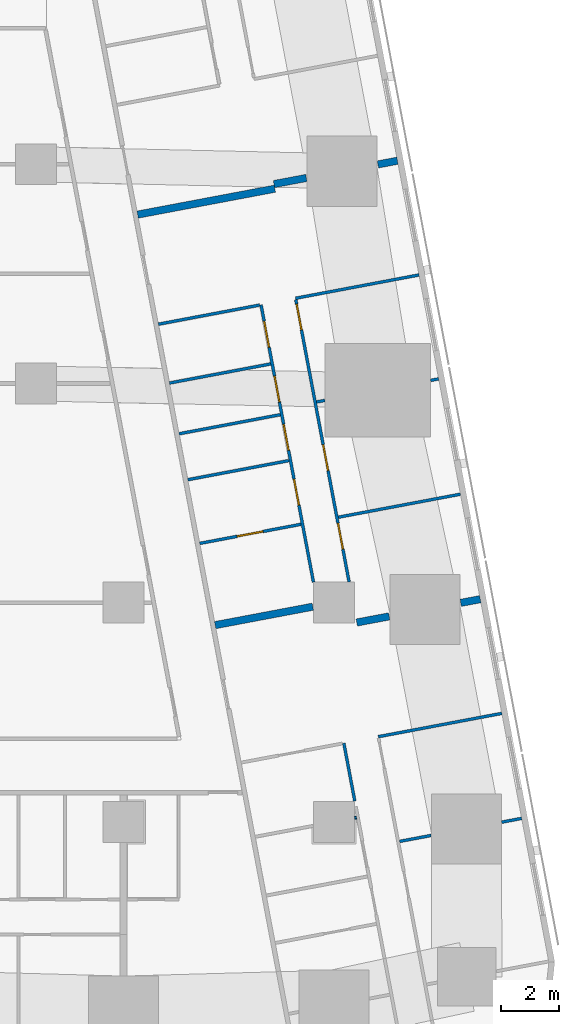
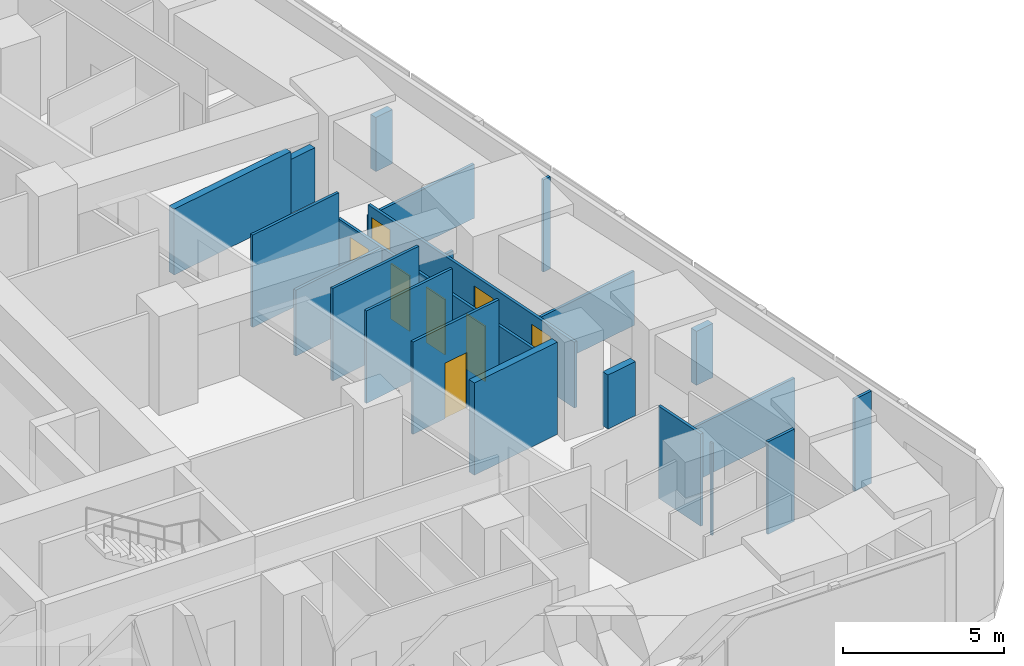
# One storey, part 11 of 17: 22 walls, 8 doors, 8 openings.
"""IFC4 building model written with IfcOpenShell, lengths in metres."""

from ifc_helpers import new_model, si_unit, direction, frame, frame_2d, origin, place, context, subcontext, project, spatial, rectangle, extrude, material, layer, layer_set, type_object, element, fill, save


model = new_model("IFC4")

# Units and contexts
model_context = context("Model", 3, precision=1e-05, world=origin(), true_north=direction((0.0, 1.0)))
body_context = subcontext(model_context, "Body", "Model", "MODEL_VIEW")
ifc_project = project(units=[si_unit("LENGTHUNIT", "METRE"), si_unit("AREAUNIT", "SQUARE_METRE"), si_unit("VOLUMEUNIT", "CUBIC_METRE"), si_unit("PLANEANGLEUNIT", "RADIAN"), si_unit("MASSUNIT", "GRAM", prefix="KILO")], contexts=[model_context])

# Site, building, storey
site_placement = place(None, origin())
site = spatial("IfcSite", under=ifc_project, at=site_placement, CompositionType="ELEMENT")
building_placement = place(site_placement, origin())
building = spatial("IfcBuilding", under=site, at=building_placement, Name="Sheger Commons Tower", CompositionType="ELEMENT")
storey_placement = place(building_placement, frame((0.0, 0.0, 208.699951171875)))
storey = spatial("IfcBuildingStorey", under=building, at=storey_placement, Name="L53", CompositionType="ELEMENT", Elevation=208.699951171875)

# Walls
ifc_material_1 = material(Name="Dense concrete block masonry, plastered both sides (separating wall between flats)", Category="masonry")
ifc_layer_1 = layer(ifc_material_1, 0.25)
ifc_layer_set_1 = layer_set([ifc_layer_1], Name="DEMISING WALL 250")
wall_type_1 = type_object("IfcWallType", Name="DEMISING WALL 250", PredefinedType="SOLIDWALL", material=ifc_layer_set_1)
wall_1_placement = place(storey_placement, frame((45.3720703125, 30.12109375, 0.0), z_axis=(0.0, 0.0, 1.0), x_axis=(-0.982347993061, -0.187062611252, 0.0)))
element("IfcWall", 1, at=wall_1_placement, inside=storey, type_object=wall_type_1, Name="Demising wall L53", PredefinedType="SOLIDWALL", context=body_context, shape_type="SweptSolid", body=[
    extrude(rectangle(XDim=0.679931640625, YDim=0.25, at=frame_2d((0.33984375, 0.0))), origin(), (0.0, 0.0, 1.0), 2.050048828125),
])
wall_2_placement = place(storey_placement, frame((42.256103515625, 29.531982421875, 0.0), z_axis=(0.0, 0.0, 1.0), x_axis=(-0.982549954272, -0.185998890749, 0.0)))
element("IfcWall", 2, at=wall_2_placement, inside=storey, type_object=wall_type_1, Name="Demising wall L53", PredefinedType="SOLIDWALL", context=body_context, shape_type="SweptSolid", body=[
    extrude(rectangle(XDim=1.12890625, YDim=0.25, at=frame_2d((0.564453125, 0.0))), origin(), (0.0, 0.0, 1.0), 2.050048828125),
])
wall_3_placement = place(storey_placement, frame((41.177001953125, 29.1640625, 0.0), z_axis=(0.0, 0.0, 1.0), x_axis=(-0.982642846239, -0.185507511263, 0.0)))
element("IfcWall", 3, at=wall_3_placement, inside=storey, type_object=wall_type_1, Name="Demising wall L53", PredefinedType="SOLIDWALL", context=body_context, shape_type="SweptSolid", body=[
    extrude(rectangle(XDim=4.776123046875, YDim=0.25, at=frame_2d((2.38818359375, 0.0))), origin(), (0.0, 0.0, 1.0), 2.5),
])
wall_4_placement = place(storey_placement, frame((48.2060546875, 15.1201171875, 0.0), z_axis=(0.0, 0.0, 1.0), x_axis=(-0.982610999048, -0.18567612811, 0.0)))
element("IfcWall", 4, at=wall_4_placement, inside=storey, type_object=wall_type_1, Name="Demising wall L53", PredefinedType="SOLIDWALL", context=body_context, shape_type="SweptSolid", body=[
    extrude(rectangle(XDim=0.6796875, YDim=0.25, at=frame_2d((0.33984375, 0.0))), origin(), (0.0, 0.0, 1.0), 2.050048828125),
])
wall_5_placement = place(storey_placement, frame((45.090087890625, 14.531005859375, 0.0), z_axis=(0.0, 0.0, 1.0), x_axis=(-0.982737354171, -0.185006196431, 0.0)))
element("IfcWall", 5, at=wall_5_placement, inside=storey, type_object=wall_type_1, Name="Demising wall L53", PredefinedType="SOLIDWALL", context=body_context, shape_type="SweptSolid", body=[
    extrude(rectangle(XDim=1.129638671875, YDim=0.25, at=frame_2d((0.56494140625, 0.0))), origin(), (0.0, 0.0, 1.0), 2.050048828125),
])
wall_6_placement = place(storey_placement, frame((42.47607421875, 14.863037109375, 0.0), z_axis=(0.0, 0.0, 1.0), x_axis=(-0.982603567712, -0.185715450942, 0.0)))
element("IfcWall", 6, at=wall_6_placement, inside=storey, type_object=wall_type_1, Name="Demising wall L53", PredefinedType="SOLIDWALL", context=body_context, shape_type="SweptSolid", body=[
    extrude(rectangle(XDim=3.398193359375, YDim=0.25, at=frame_2d((1.69921875, 0.0))), origin(), (0.0, 0.0, 1.0), 3.5),
])

# Wall, openings, doors
ifc_material_2 = material(Name="Gypsum board on steel studs", Category="steel")
ifc_layer_2 = layer(ifc_material_2, 0.10009765625)
ifc_layer_set_2 = layer_set([ifc_layer_2], Name="PARTITION 100")
wall_type_2 = type_object("IfcWallType", Name="PARTITION 100", PredefinedType="PARTITIONING", material=ifc_layer_set_2)
wall_7_placement = place(storey_placement, frame((41.89404296875, 25.365966796875, 0.0), z_axis=(0.0, 0.0, 1.0), x_axis=(0.185612905165, -0.982622943675, 0.0)))
wall_7 = element("IfcWall", 7, at=wall_7_placement, inside=storey, type_object=wall_type_2, Name="Partition L53", PredefinedType="PARTITIONING", context=body_context, shape_type="SweptSolid", body=[
    extrude(rectangle(XDim=9.82666015625, YDim=0.10009765625, at=frame_2d((4.913330078125, 0.0))), origin(), (0.0, 0.0, 1.0), 2.5),
])
opening_1_placement = place(wall_7_placement, frame((0.15087890625, 0.0, 0.0)))
opening_1 = element("IfcOpeningElement", 8, at=opening_1_placement, cuts=wall_7, Name="Opening D2", PredefinedType="OPENING", context=body_context, shape_type="SweptSolid", body=[
    extrude(rectangle(XDim=0.89990234375, YDim=2.10009765625, at=frame_2d((0.449951171875, 1.050048828125))), frame((0.0, 0.06005859375, 0.0), z_axis=(0.0, -1.0, 0.0), x_axis=(1.0, 0.0, 0.0)), (0.0, 0.0, 1.0), 0.1201171875),
])
opening_2_placement = place(wall_7_placement, frame((5.050048828125, 0.0, 0.0)))
opening_2 = element("IfcOpeningElement", 9, at=opening_2_placement, cuts=wall_7, Name="Opening D2", PredefinedType="OPENING", context=body_context, shape_type="SweptSolid", body=[
    extrude(rectangle(XDim=0.89990234375, YDim=2.10009765625, at=frame_2d((0.449951171875, 1.050048828125))), frame((0.0, 0.06005859375, 0.0), z_axis=(0.0, -1.0, 0.0), x_axis=(1.0, 0.0, 0.0)), (0.0, 0.0, 1.0), 0.1201171875),
])
opening_3_placement = place(wall_7_placement, frame((7.782958984375, 0.0, 0.0)))
opening_3 = element("IfcOpeningElement", 10, at=opening_3_placement, cuts=wall_7, Name="Opening D2", PredefinedType="OPENING", context=body_context, shape_type="SweptSolid", body=[
    extrude(rectangle(XDim=0.89990234375, YDim=2.10009765625, at=frame_2d((0.449951171875, 1.050048828125))), frame((0.0, 0.06005859375, 0.0), z_axis=(0.0, -1.0, 0.0), x_axis=(1.0, 0.0, 0.0)), (0.0, 0.0, 1.0), 0.1201171875),
])
ifc_material_3 = material(Name="Timber door set", Category="wood")
door_type = type_object("IfcDoorType", Name="INTERNAL DOOR 900x2100", OperationType="NOTDEFINED", PredefinedType="DOOR", material=ifc_material_3)
door_1_placement = place(opening_1_placement, origin())
door_1 = element("IfcDoor", 11, at=door_1_placement, inside=storey, type_object=door_type, Name="Main bedroom door", OperationType="SINGLE_SWING_LEFT", OverallHeight=2.10009765625, OverallWidth=0.89990234375, PredefinedType="DOOR", context=body_context, shape_type="SweptSolid", body=[
    extrude(rectangle(XDim=0.89990234375, YDim=2.10009765625, at=frame_2d((0.449951171875, 1.050048828125))), frame((0.0, 0.02490234375, 0.0), z_axis=(0.0, -1.0, 0.0), x_axis=(1.0, 0.0, 0.0)), (0.0, 0.0, 1.0), 0.050048828125),
])
fill(opening_1, door_1)
door_2_placement = place(opening_2_placement, origin())
door_2 = element("IfcDoor", 12, at=door_2_placement, inside=storey, type_object=door_type, Name="Bedroom 2 door", OperationType="SINGLE_SWING_LEFT", OverallHeight=2.10009765625, OverallWidth=0.89990234375, PredefinedType="DOOR", context=body_context, shape_type="SweptSolid", body=[
    extrude(rectangle(XDim=0.89990234375, YDim=2.10009765625, at=frame_2d((0.449951171875, 1.050048828125))), frame((0.0, 0.02490234375, 0.0), z_axis=(0.0, -1.0, 0.0), x_axis=(1.0, 0.0, 0.0)), (0.0, 0.0, 1.0), 0.050048828125),
])
fill(opening_2, door_2)
door_3_placement = place(opening_3_placement, origin())
door_3 = element("IfcDoor", 13, at=door_3_placement, inside=storey, type_object=door_type, Name="Bedroom 3 door", OperationType="SINGLE_SWING_LEFT", OverallHeight=2.10009765625, OverallWidth=0.89990234375, PredefinedType="DOOR", context=body_context, shape_type="SweptSolid", body=[
    extrude(rectangle(XDim=0.89990234375, YDim=2.10009765625, at=frame_2d((0.449951171875, 1.050048828125))), frame((0.0, 0.02490234375, 0.0), z_axis=(0.0, -1.0, 0.0), x_axis=(1.0, 0.0, 0.0)), (0.0, 0.0, 1.0), 0.050048828125),
])
fill(opening_3, door_3)

wall_8_placement = place(storey_placement, frame((40.7060546875, 25.19189453125, 0.0), z_axis=(0.0, 0.0, 1.0), x_axis=(0.185629824463, -0.982619747547, 0.0)))
wall_8 = element("IfcWall", 14, at=wall_8_placement, inside=storey, type_object=wall_type_2, Name="Partition L53", PredefinedType="PARTITIONING", context=body_context, shape_type="SweptSolid", body=[
    extrude(rectangle(XDim=9.658935546875, YDim=0.10009765625, at=frame_2d((4.82958984375, 0.0))), origin(), (0.0, 0.0, 1.0), 2.5),
])
opening_4_placement = place(wall_8_placement, frame((0.574951171875, 0.0, 0.0)))
opening_4 = element("IfcOpeningElement", 15, at=opening_4_placement, cuts=wall_8, Name="Opening D2", PredefinedType="OPENING", context=body_context, shape_type="SweptSolid", body=[
    extrude(rectangle(XDim=0.89990234375, YDim=2.10009765625, at=frame_2d((0.449951171875, 1.050048828125))), frame((0.0, 0.06005859375, 0.0), z_axis=(0.0, -1.0, 0.0), x_axis=(1.0, 0.0, 0.0)), (0.0, 0.0, 1.0), 0.1201171875),
])
opening_5_placement = place(wall_8_placement, frame((4.166015625, 0.0, 0.0)))
opening_5 = element("IfcOpeningElement", 16, at=opening_5_placement, cuts=wall_8, Name="Opening D2", PredefinedType="OPENING", context=body_context, shape_type="SweptSolid", body=[
    extrude(rectangle(XDim=0.89990234375, YDim=2.10009765625, at=frame_2d((0.449951171875, 1.050048828125))), frame((0.0, 0.06005859375, 0.0), z_axis=(0.0, -1.0, 0.0), x_axis=(1.0, 0.0, 0.0)), (0.0, 0.0, 1.0), 0.1201171875),
])
opening_6_placement = place(wall_8_placement, frame((2.48291015625, 0.0, 0.0)))
opening_6 = element("IfcOpeningElement", 17, at=opening_6_placement, cuts=wall_8, Name="Opening D2", PredefinedType="OPENING", context=body_context, shape_type="SweptSolid", body=[
    extrude(rectangle(XDim=0.89990234375, YDim=2.10009765625, at=frame_2d((0.449951171875, 1.050048828125))), frame((0.0, 0.06005859375, 0.0), z_axis=(0.0, -1.0, 0.0), x_axis=(1.0, 0.0, 0.0)), (0.0, 0.0, 1.0), 0.1201171875),
])
opening_7_placement = place(wall_8_placement, frame((6.073974609375, 0.0, 0.0)))
opening_7 = element("IfcOpeningElement", 18, at=opening_7_placement, cuts=wall_8, Name="Opening D2", PredefinedType="OPENING", context=body_context, shape_type="SweptSolid", body=[
    extrude(rectangle(XDim=0.89990234375, YDim=2.10009765625, at=frame_2d((0.449951171875, 1.050048828125))), frame((0.0, 0.06005859375, 0.0), z_axis=(0.0, -1.0, 0.0), x_axis=(1.0, 0.0, 0.0)), (0.0, 0.0, 1.0), 0.1201171875),
])
door_4_placement = place(opening_4_placement, origin())
door_4 = element("IfcDoor", 19, at=door_4_placement, inside=storey, type_object=door_type, Name="Bathroom door", OperationType="SINGLE_SWING_RIGHT", OverallHeight=2.10009765625, OverallWidth=0.89990234375, PredefinedType="DOOR", context=body_context, shape_type="SweptSolid", body=[
    extrude(rectangle(XDim=0.89990234375, YDim=2.10009765625, at=frame_2d((0.449951171875, 1.050048828125))), frame((0.0, 0.02490234375, 0.0), z_axis=(0.0, -1.0, 0.0), x_axis=(1.0, 0.0, 0.0)), (0.0, 0.0, 1.0), 0.050048828125),
])
fill(opening_4, door_4)
door_5_placement = place(opening_5_placement, origin())
door_5 = element("IfcDoor", 20, at=door_5_placement, inside=storey, type_object=door_type, Name="Shower room door", OperationType="SINGLE_SWING_LEFT", OverallHeight=2.10009765625, OverallWidth=0.89990234375, PredefinedType="DOOR", context=body_context, shape_type="SweptSolid", body=[
    extrude(rectangle(XDim=0.89990234375, YDim=2.10009765625, at=frame_2d((0.449951171875, 1.050048828125))), frame((0.0, 0.02490234375, 0.0), z_axis=(0.0, -1.0, 0.0), x_axis=(1.0, 0.0, 0.0)), (0.0, 0.0, 1.0), 0.050048828125),
])
fill(opening_5, door_5)
door_6_placement = place(opening_6_placement, origin())
door_6 = element("IfcDoor", 21, at=door_6_placement, inside=storey, type_object=door_type, Name="Store door", OperationType="SINGLE_SWING_LEFT", OverallHeight=2.10009765625, OverallWidth=0.89990234375, PredefinedType="DOOR", context=body_context, shape_type="SweptSolid", body=[
    extrude(rectangle(XDim=0.89990234375, YDim=2.10009765625, at=frame_2d((0.449951171875, 1.050048828125))), frame((0.0, 0.02490234375, 0.0), z_axis=(0.0, -1.0, 0.0), x_axis=(1.0, 0.0, 0.0)), (0.0, 0.0, 1.0), 0.050048828125),
])
fill(opening_6, door_6)
door_7_placement = place(opening_7_placement, origin())
door_7 = element("IfcDoor", 22, at=door_7_placement, inside=storey, type_object=door_type, Name="Store door", OperationType="SINGLE_SWING_RIGHT", OverallHeight=2.10009765625, OverallWidth=0.89990234375, PredefinedType="DOOR", context=body_context, shape_type="SweptSolid", body=[
    extrude(rectangle(XDim=0.89990234375, YDim=2.10009765625, at=frame_2d((0.449951171875, 1.050048828125))), frame((0.0, 0.02490234375, 0.0), z_axis=(0.0, -1.0, 0.0), x_axis=(1.0, 0.0, 0.0)), (0.0, 0.0, 1.0), 0.050048828125),
])
fill(opening_7, door_7)

# Walls
wall_9_placement = place(storey_placement, frame((46.110107421875, 26.212890625, 0.0), z_axis=(0.0, 0.0, 1.0), x_axis=(-0.982633535512, -0.185556823879, 0.0)))
element("IfcWall", 23, at=wall_9_placement, inside=storey, type_object=wall_type_2, Name="Partition L53", PredefinedType="PARTITIONING", context=body_context, shape_type="SweptSolid", body=[
    extrude(rectangle(XDim=4.2998046875, YDim=0.10009765625, at=frame_2d((2.14990234375, 0.0))), origin(), (0.0, 0.0, 1.0), 2.050048828125),
])
wall_10_placement = place(storey_placement, frame((46.781982421875, 22.656982421875, 0.0), z_axis=(0.0, 0.0, 1.0), x_axis=(-0.982574553168, -0.185868898601, 0.0)))
element("IfcWall", 24, at=wall_10_placement, inside=storey, type_object=wall_type_2, Name="Partition L53", PredefinedType="PARTITIONING", context=body_context, shape_type="SweptSolid", body=[
    extrude(rectangle(XDim=0.27978515625, YDim=0.10009765625, at=frame_2d((0.139892578125, 0.0))), origin(), (0.0, 0.0, 1.0), 3.5),
])
wall_11_placement = place(storey_placement, frame((42.886962890625, 21.9208984375, 0.0), z_axis=(0.0, 0.0, 1.0), x_axis=(-0.982688058078, -0.185267861514, 0.0)))
element("IfcWall", 25, at=wall_11_placement, inside=storey, type_object=wall_type_2, Name="Partition L53", PredefinedType="PARTITIONING", context=body_context, shape_type="SweptSolid", body=[
    extrude(rectangle(XDim=0.285888671875, YDim=0.10009765625, at=frame_2d((0.14306640625, 0.0))), origin(), (0.0, 0.0, 1.0), 2.5),
])
wall_12_placement = place(storey_placement, frame((47.527099609375, 18.7119140625, 0.0), z_axis=(0.0, 0.0, 1.0), x_axis=(-0.982665405803, -0.185387972203, 0.0)))
element("IfcWall", 26, at=wall_12_placement, inside=storey, type_object=wall_type_2, Name="Partition L53", PredefinedType="PARTITIONING", context=body_context, shape_type="SweptSolid", body=[
    extrude(rectangle(XDim=4.249755859375, YDim=0.10009765625, at=frame_2d((2.125, 0.0))), origin(), (0.0, 0.0, 1.0), 2.050048828125),
])
wall_13_placement = place(storey_placement, frame((40.656982421875, 25.18310546875, 0.0), z_axis=(0.0, 0.0, 1.0), x_axis=(-0.982585626838, -0.185810349366, 0.0)))
element("IfcWall", 27, at=wall_13_placement, inside=storey, type_object=wall_type_2, Name="Partition L53", PredefinedType="PARTITIONING", context=body_context, shape_type="SweptSolid", body=[
    extrude(rectangle(XDim=3.525146484375, YDim=0.10009765625, at=frame_2d((1.7626953125, 0.0))), origin(), (0.0, 0.0, 1.0), 3.5),
])
wall_14_placement = place(storey_placement, frame((41.364990234375, 21.43310546875, 0.0), z_axis=(0.0, 0.0, 1.0), x_axis=(-0.982638553676, -0.185530247748, 0.0)))
element("IfcWall", 28, at=wall_14_placement, inside=storey, type_object=wall_type_2, Name="Partition L53", PredefinedType="PARTITIONING", context=body_context, shape_type="SweptSolid", body=[
    extrude(rectangle(XDim=3.525390625, YDim=0.10009765625, at=frame_2d((1.7626953125, 0.0))), origin(), (0.0, 0.0, 1.0), 3.5),
])

# Wall, opening, door
wall_15_placement = place(storey_placement, frame((42.072998046875, 17.681884765625, 0.0), z_axis=(0.0, 0.0, 1.0), x_axis=(-0.98265117712, -0.185463376723, 0.0)))
wall_15 = element("IfcWall", 29, at=wall_15_placement, inside=storey, type_object=wall_type_2, Name="Partition L53", PredefinedType="PARTITIONING", context=body_context, shape_type="SweptSolid", body=[
    extrude(rectangle(XDim=3.525390625, YDim=0.10009765625, at=frame_2d((1.7626953125, 0.0))), origin(), (0.0, 0.0, 1.0), 3.5),
])
opening_8_placement = place(wall_15_placement, frame((1.324951171875, 0.0, 0.0)))
opening_8 = element("IfcOpeningElement", 30, at=opening_8_placement, cuts=wall_15, Name="Opening D2", PredefinedType="OPENING", context=body_context, shape_type="SweptSolid", body=[
    extrude(rectangle(XDim=0.89990234375, YDim=2.10009765625, at=frame_2d((0.449951171875, 1.050048828125))), frame((0.0, 0.06005859375, 0.0), z_axis=(0.0, -1.0, 0.0), x_axis=(1.0, 0.0, 0.0)), (0.0, 0.0, 1.0), 0.1201171875),
])
door_8_placement = place(opening_8_placement, origin())
door_8 = element("IfcDoor", 31, at=door_8_placement, inside=storey, type_object=door_type, Name="Store door", OperationType="SINGLE_SWING_LEFT", OverallHeight=2.10009765625, OverallWidth=0.89990234375, PredefinedType="DOOR", context=body_context, shape_type="SweptSolid", body=[
    extrude(rectangle(XDim=0.89990234375, YDim=2.10009765625, at=frame_2d((0.449951171875, 1.050048828125))), frame((0.0, 0.02490234375, 0.0), z_axis=(0.0, -1.0, 0.0), x_axis=(1.0, 0.0, 0.0)), (0.0, 0.0, 1.0), 0.050048828125),
])
fill(opening_8, door_8)

# Walls
wall_16_placement = place(storey_placement, frame((41.037109375, 23.16796875, 0.0), z_axis=(0.0, 0.0, 1.0), x_axis=(-0.982638553676, -0.185530247748, 0.0)))
element("IfcWall", 32, at=wall_16_placement, inside=storey, type_object=wall_type_2, Name="Partition L53", PredefinedType="PARTITIONING", context=body_context, shape_type="SweptSolid", body=[
    extrude(rectangle(XDim=3.525390625, YDim=0.10009765625, at=frame_2d((1.7626953125, 0.0))), origin(), (0.0, 0.0, 1.0), 2.5),
])
wall_17_placement = place(storey_placement, frame((41.662109375, 19.861083984375, 0.0), z_axis=(0.0, 0.0, 1.0), x_axis=(-0.982588017646, -0.185797706064, 0.0)))
element("IfcWall", 33, at=wall_17_placement, inside=storey, type_object=wall_type_2, Name="Partition L53", PredefinedType="PARTITIONING", context=body_context, shape_type="SweptSolid", body=[
    extrude(rectangle(XDim=3.525390625, YDim=0.10009765625, at=frame_2d((1.7626953125, 0.0))), origin(), (0.0, 0.0, 1.0), 3.5),
])
wall_18_placement = place(storey_placement, frame((43.5390625, 10.19189453125, 0.0), z_axis=(0.0, 0.0, 1.0), x_axis=(0.185443145218, -0.982654995353, 0.0)))
element("IfcWall", 34, at=wall_18_placement, inside=storey, type_object=wall_type_2, Name="Partition L53", PredefinedType="PARTITIONING", context=body_context, shape_type="SweptSolid", body=[
    extrude(rectangle(XDim=2.016845703125, YDim=0.10009765625, at=frame_2d((1.00830078125, 0.0))), origin(), (0.0, 0.0, 1.0), 3.5),
])
wall_19_placement = place(storey_placement, frame((48.943115234375, 11.212890625, 0.0), z_axis=(0.0, 0.0, 1.0), x_axis=(-0.982633535512, -0.185556823879, 0.0)))
element("IfcWall", 35, at=wall_19_placement, inside=storey, type_object=wall_type_2, Name="Partition L53", PredefinedType="PARTITIONING", context=body_context, shape_type="SweptSolid", body=[
    extrude(rectangle(XDim=4.2998046875, YDim=0.10009765625, at=frame_2d((2.14990234375, 0.0))), origin(), (0.0, 0.0, 1.0), 2.050048828125),
])
wall_20_placement = place(storey_placement, frame((49.6220703125, 7.6201171875, 0.0), z_axis=(0.0, 0.0, 1.0), x_axis=(-0.98254419619, -0.186029305578, 0.0)))
element("IfcWall", 36, at=wall_20_placement, inside=storey, type_object=wall_type_2, Name="Partition L53", PredefinedType="PARTITIONING", context=body_context, shape_type="SweptSolid", body=[
    extrude(rectangle(XDim=0.6943359375, YDim=0.10009765625, at=frame_2d((0.34716796875, 0.0))), origin(), (0.0, 0.0, 1.0), 3.5),
])
wall_21_placement = place(storey_placement, frame((46.52001953125, 7.034912109375, 0.0), z_axis=(0.0, 0.0, 1.0), x_axis=(-0.982620932907, -0.185623549726, 0.0)))
element("IfcWall", 37, at=wall_21_placement, inside=storey, type_object=wall_type_2, Name="Partition L53", PredefinedType="PARTITIONING", context=body_context, shape_type="SweptSolid", body=[
    extrude(rectangle(XDim=1.093017578125, YDim=0.10009765625, at=frame_2d((0.54638671875, 0.0))), origin(), (0.0, 0.0, 1.0), 3.5),
])
wall_22_placement = place(storey_placement, frame((43.968994140625, 7.64599609375, 0.0), z_axis=(0.0, 0.0, 1.0), x_axis=(-0.983147034646, -0.182816597351, 0.0)))
element("IfcWall", 38, at=wall_22_placement, inside=storey, type_object=wall_type_2, Name="Partition L53", PredefinedType="PARTITIONING", context=body_context, shape_type="SweptSolid", body=[
    extrude(rectangle(XDim=0.06005859375, YDim=0.10009765625, at=frame_2d((0.030029296875, 0.0))), origin(), (0.0, 0.0, 1.0), 3.5),
])

save(model, "model.ifc")
